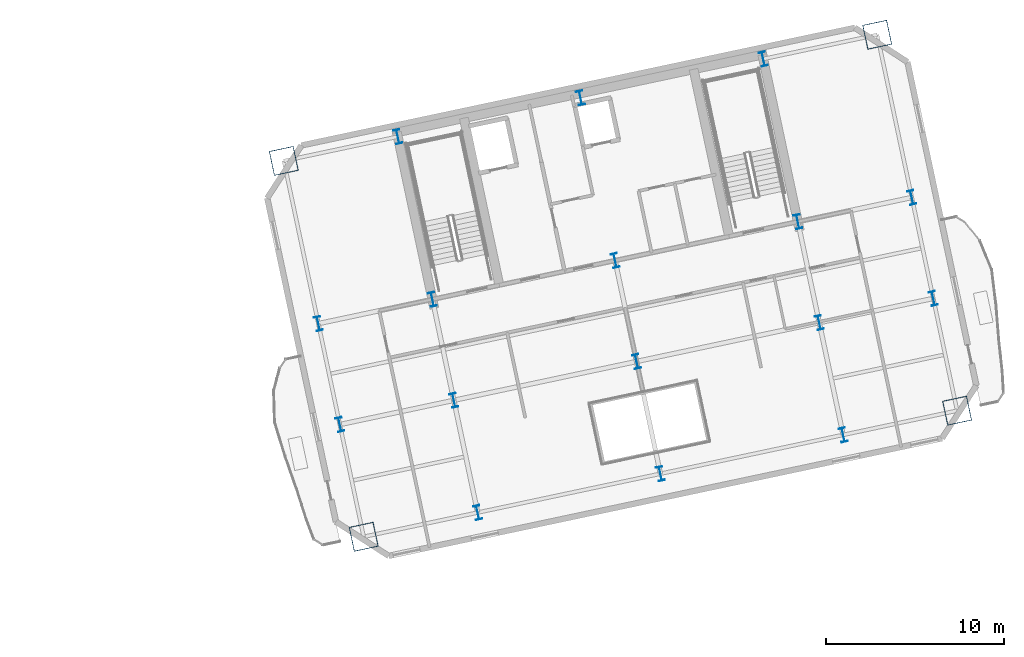
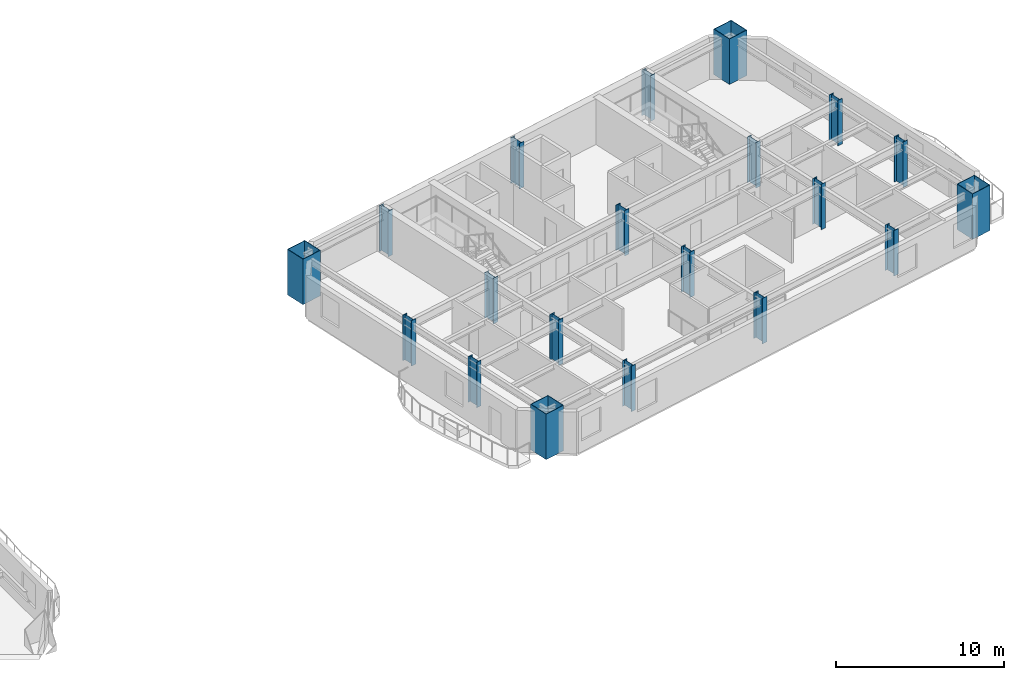
# One storey, part 2 of 13: 20 columns.
"""IFC4 building model written with IfcOpenShell, lengths in metres."""

import ifcopenshell
import ifcopenshell.guid

model = None  # the IFC model being written
_history = None  # IfcOwnerHistory: only IFC2X3 demands one
_inside = {}  # id of a spatial element -> (the spatial element, [elements in it])
_under = {}  # id of a project, library or spatial element -> (it, [spatial elements below it])
_declared = {}  # id of a project -> (the project, [libraries it declares])
_typed = {}  # id of a type object -> (the type object, [elements of that type])
_made_of = {}  # id of a material, layer set ... -> (it, [elements and type objects made of it])


def new_model(schema):
    """Start an empty IFC model of exactly this schema.

    Asked for "IFC4X3", IfcOpenShell would pick the latest addendum, in which some entities
    have other attributes; the version numbers below select the first issue.
    IFC2X3 requires an IfcOwnerHistory on every rooted entity: one is made here for all.
    """
    global model, _history
    if schema == "IFC4X3":
        model = ifcopenshell.file(schema_version=(4, 3, 0, 0))
    else:
        model = ifcopenshell.file(schema=schema)
    _inside.clear()
    _under.clear()
    _declared.clear()
    _typed.clear()
    _made_of.clear()
    _history = None
    if model.schema == "IFC2X3":
        org = make("IfcOrganization", Name="unknown")
        user = make(
            "IfcPersonAndOrganization",
            ThePerson=make("IfcPerson", FamilyName="unknown"),
            TheOrganization=org,
        )
        app = make(
            "IfcApplication",
            ApplicationDeveloper=org,
            Version="unknown",
            ApplicationFullName="unknown",
            ApplicationIdentifier="unknown",
        )
        _history = make(
            "IfcOwnerHistory",
            OwningUser=user,
            OwningApplication=app,
            ChangeAction="ADDED",
            CreationDate=0,
        )
    return model


def make(cls, **values):
    """One entity of the class cls with the attributes given. An attribute that is None is left unset."""
    return model.create_entity(
        cls, **{name: value for name, value in values.items() if value is not None}
    )


def rooted(cls, **values):
    """An entity with a GlobalId (a new one), such as an element, a storey or a relation."""
    return make(cls, GlobalId=ifcopenshell.guid.new(), OwnerHistory=_history, **values)


def si_unit(unit_type, name, prefix=None):
    """IfcSIUnit, for example si_unit("LENGTHUNIT", "METRE", prefix="MILLI")."""
    return make("IfcSIUnit", UnitType=unit_type, Prefix=prefix, Name=name)


def assignment(units):
    """IfcUnitAssignment: the units of a project."""
    return None if units is None else make("IfcUnitAssignment", Units=units)


def point(xyz):
    """IfcCartesianPoint."""
    return None if xyz is None else make("IfcCartesianPoint", Coordinates=xyz)


def direction(xyz):
    """IfcDirection."""
    return None if xyz is None else make("IfcDirection", DirectionRatios=xyz)


def frame(location, z_axis=None, x_axis=None):
    """IfcAxis2Placement3D, a coordinate frame: its origin and axes. An axis left out is left unset."""
    return make(
        "IfcAxis2Placement3D",
        Location=point(location),
        Axis=direction(z_axis),
        RefDirection=direction(x_axis),
    )


def frame_2d(location, x_axis=None):
    """IfcAxis2Placement2D, a coordinate frame in the plane: its origin and x axis."""
    return make(
        "IfcAxis2Placement2D", Location=point(location), RefDirection=direction(x_axis)
    )


def origin():
    """The frame at (0, 0, 0) with its axes left unset."""
    return frame((0.0, 0.0, 0.0))


def origin_2d():
    """The frame at (0, 0) in the plane with its x axis left unset."""
    return frame_2d((0.0, 0.0))


def place(relative_to, where):
    """IfcLocalPlacement: puts the frame where relative to a parent placement (None: the world)."""
    return make(
        "IfcLocalPlacement", PlacementRelTo=relative_to, RelativePlacement=where
    )


def context(
    kind, dimensions, precision=None, world=None, true_north=None, identifier=None
):
    """IfcGeometricRepresentationContext, for example the 3D "Model" context."""
    return make(
        "IfcGeometricRepresentationContext",
        ContextIdentifier=identifier,
        ContextType=kind,
        CoordinateSpaceDimension=dimensions,
        Precision=precision,
        WorldCoordinateSystem=world,
        TrueNorth=true_north,
    )


def subcontext(parent, identifier, kind, view, scale=None):
    """IfcGeometricRepresentationSubContext, for example "Body" below "Model"."""
    return make(
        "IfcGeometricRepresentationSubContext",
        ContextIdentifier=identifier,
        ContextType=kind,
        ParentContext=parent,
        TargetScale=scale,
        TargetView=view,
    )


def project(units=None, contexts=None):
    """IfcProject with its units and contexts."""
    return rooted(
        "IfcProject",
        Name="project",
        RepresentationContexts=contexts,
        UnitsInContext=assignment(units),
    )


def spatial(cls, under=None, at=None, **own):
    """A site, building, storey or space (cls), placed at a placement, below another one or the project."""
    s = rooted(cls, ObjectPlacement=at, **own)
    if under is not None:
        _under.setdefault(under.id(), (under, []))[1].append(s)
    return s


def profile(cls, at=None, kind="AREA", **sizes):
    """A parametric profile (cls). Its sizes go by their IFC names, for example OverallWidth=200.0."""
    return make(cls, ProfileType=kind, Position=at, **sizes)


def hollow_rectangle(**sizes):
    """IfcRectangleHollowProfileDef."""
    return profile("IfcRectangleHollowProfileDef", **sizes)


def i_section(**sizes):
    """IfcIShapeProfileDef."""
    return profile("IfcIShapeProfileDef", **sizes)


def extrude(swept, where, along, depth):
    """IfcExtrudedAreaSolid: the profile swept, set in the frame where, extruded along a direction by depth."""
    return make(
        "IfcExtrudedAreaSolid",
        SweptArea=swept,
        Position=where,
        ExtrudedDirection=direction(along),
        Depth=depth,
    )


def shape(context_of_items, identifier, shape_type, items):
    """IfcShapeRepresentation: the items that make up one representation, for example the "Body"."""
    return make(
        "IfcShapeRepresentation",
        ContextOfItems=context_of_items,
        RepresentationIdentifier=identifier,
        RepresentationType=shape_type,
        Items=items,
    )


def material(Name=None, Category=None):
    """IfcMaterial."""
    return make("IfcMaterial", Name=Name, Category=Category)


def material_profile(
    of_material, cross_section, Name=None, Category=None, Priority=None
):
    """IfcMaterialProfile: a cross section and its material."""
    return make(
        "IfcMaterialProfile",
        Name=Name,
        Material=of_material,
        Profile=cross_section,
        Priority=Priority,
        Category=Category,
    )


def profile_set(profiles, Name=None, composite=None):
    """IfcMaterialProfileSet."""
    return make(
        "IfcMaterialProfileSet",
        Name=Name,
        MaterialProfiles=profiles,
        CompositeProfile=composite,
    )


def made_of(thing, what):
    """Note that an element or type object is made of a material, layer set ...; save() writes the relation."""
    if what is not None:
        _made_of.setdefault(what.id(), (what, []))[1].append(thing)
    return thing


def type_object(cls, material=None, **own):
    """A type object (cls), such as IfcWallType, which elements share."""
    return made_of(rooted(cls, **own), material)


def element(
    cls,
    number,
    at=None,
    inside=None,
    cuts=None,
    type_object=None,
    material=None,
    context=None,
    identifier="Body",
    shape_type=None,
    held_by="IfcProductDefinitionShape",
    body=None,
    shapes=None,
    **own,
):
    """One element of the class cls, such as IfcWall. Its Tag is "e" and its number.

    at: its placement. inside: the storey or other place that contains it. cuts: it is an
    opening in that element (IfcRelVoidsElement). A single representation is given by context,
    identifier, shape_type and body (its items); several are given by shapes. held_by: the class
    of the entity that holds the representations. save() writes the other relations.
    """
    e = rooted(cls, Tag="e%d" % number, ObjectPlacement=at, **own)
    if body is not None:
        shapes = [shape(context, identifier, shape_type, body)]
    if shapes is not None:
        e.Representation = make(held_by, Representations=shapes)
    if inside is not None:
        _inside.setdefault(inside.id(), (inside, []))[1].append(e)
    if cuts is not None:
        rooted(
            "IfcRelVoidsElement", RelatingBuildingElement=cuts, RelatedOpeningElement=e
        )
    if type_object is not None:
        _typed.setdefault(type_object.id(), (type_object, []))[1].append(e)
    return made_of(e, material)


def aggregate(whole, parts):
    """IfcRelAggregates: a whole, such as a stair, and the parts it consists of."""
    return rooted("IfcRelAggregates", RelatingObject=whole, RelatedObjects=parts)


def save(model, path):
    """Write the relations noted so far, then the file.

    IfcRelAggregates (storeys below a building ...), IfcRelContainedInSpatialStructure (elements
    in a storey), IfcRelDefinesByType, IfcRelAssociatesMaterial and IfcRelDeclares: one each for
    every whole, place, type object, material and project.
    """
    for whole, parts in _under.values():
        aggregate(whole, parts)
    for where, things in _inside.values():
        rooted(
            "IfcRelContainedInSpatialStructure",
            RelatedElements=things,
            RelatingStructure=where,
        )
    for kind, things in _typed.values():
        rooted("IfcRelDefinesByType", RelatedObjects=things, RelatingType=kind)
    for what, things in _made_of.values():
        rooted("IfcRelAssociatesMaterial", RelatedObjects=things, RelatingMaterial=what)
    for by, libraries in _declared.values():
        rooted("IfcRelDeclares", RelatingContext=by, RelatedDefinitions=libraries)
    model.write(path)


model = new_model("IFC4")

# Units and contexts
model_context = context("Model", 3, precision=1e-05, world=origin(), true_north=direction((0.0, 1.0)))
body_context = subcontext(model_context, "Body", "Model", "MODEL_VIEW")
ifc_project = project(units=[si_unit("LENGTHUNIT", "METRE"), si_unit("AREAUNIT", "SQUARE_METRE"), si_unit("VOLUMEUNIT", "CUBIC_METRE"), si_unit("PLANEANGLEUNIT", "RADIAN"), si_unit("MASSUNIT", "GRAM", prefix="KILO")], contexts=[model_context])

# Site, building, storey
site_placement = place(None, origin())
site = spatial("IfcSite", under=ifc_project, at=site_placement, CompositionType="ELEMENT")
building_placement = place(site_placement, origin())
building = spatial("IfcBuilding", under=site, at=building_placement, Name="Haevon Station Towers", CompositionType="ELEMENT")
storey_placement = place(building_placement, frame((0.0, 0.0, 126.300048828125)))
storey = spatial("IfcBuildingStorey", under=building, at=storey_placement, Name="L34", CompositionType="ELEMENT", Elevation=126.300048828125)

# Columns
ifc_material = material(Name="Steel S460", Category="steel")
ifc_material_profile_1 = material_profile(ifc_material, hollow_rectangle(XDim=1.39990234375, YDim=1.39990234375, WallThickness=0.035888671875, at=origin_2d()), Name="BOX-1400x1400x36")
ifc_profile_set_1 = profile_set([ifc_material_profile_1], Name="Steel S460")
column_type_1 = type_object("IfcColumnType", Name="COL-MC3", PredefinedType="COLUMN", material=ifc_profile_set_1)
for number, where, z_axis, x_axis, name in (
    (1, (94.892333984375, 24.098388671875, 0.0), (0.0, 0.0, 1.0), (0.978147600734, 0.207911690818, 0.0), "COL-T2-L34-01-01"),
    (2, (90.401611328125, 45.226318359375, 0.0), (0.0, 0.0, 1.0), (0.978147600734, 0.207911690818, 0.0), "COL-T2-L34-01-04"),
    (3, (128.247314453125, 31.18798828125, 0.0), (0.0, 0.0, 1.0), (0.978147600734, 0.207911690818, 0.0), "COL-T2-L34-05-01"),
    (4, (123.75634765625, 52.316162109375, 0.0), (0.0, 0.0, 1.0), (0.978147600734, 0.207911690818, 0.0), "COL-T2-L34-05-04"),
):
    element("IfcColumn", number, at=place(storey_placement, frame(where, z_axis=z_axis, x_axis=x_axis)), inside=storey, type_object=column_type_1, Name=name, PredefinedType="COLUMN", context=body_context, shape_type="SweptSolid", body=[
        extrude(hollow_rectangle(XDim=1.39990234375, YDim=1.39990234375, WallThickness=0.035888671875, at=origin_2d()), origin(), (0.0, 0.0, 1.0), 3.300048828125),
    ])
ifc_material_profile_2 = material_profile(ifc_material, i_section(OverallWidth=0.35009765625, OverallDepth=0.800048828125, WebThickness=0.01806640625, FlangeThickness=0.031982421875, at=origin_2d()), Name="H-800x350x18x32")
ifc_profile_set_2 = profile_set([ifc_material_profile_2], Name="Steel S460")
column_type_2 = type_object("IfcColumnType", Name="COL-TW2", PredefinedType="COLUMN", material=ifc_profile_set_2)
for number, where, z_axis, x_axis, name in (
    (5, (93.55126953125, 30.4072265625, 0.0), (0.0, 0.0, 1.0), (0.978147600734, 0.207911690818, 0.0), "COL-T2-L34-01-02"),
    (6, (92.345458984375, 36.08056640625, 0.0), (0.0, 0.0, 1.0), (0.978147600734, 0.207911690818, 0.0), "COL-T2-L34-01-03"),
    (7, (101.29931640625, 25.460205078125, 0.0), (0.0, 0.0, 1.0), (0.978147600734, 0.207911690818, 0.0), "COL-T2-L34-02-01"),
    (8, (99.958251953125, 31.76904296875, 0.0), (0.0, 0.0, 1.0), (0.978147600734, 0.207911690818, 0.0), "COL-T2-L34-02-02"),
    (9, (98.75244140625, 37.4423828125, 0.0), (0.0, 0.0, 1.0), (0.978147600734, 0.207911690818, 0.0), "COL-T2-L34-02-03"),
    (10, (96.808349609375, 46.588134765625, 0.0), (0.0, 0.0, 1.0), (0.978147600734, 0.207911690818, 0.0), "COL-T2-L34-02-04"),
    (11, (111.56982421875, 27.64306640625, 0.0), (0.0, 0.0, 1.0), (0.978147600734, 0.207911690818, 0.0), "COL-T2-L34-03-01"),
    (12, (110.228759765625, 33.9521484375, 0.0), (0.0, 0.0, 1.0), (0.978147600734, 0.207911690818, 0.0), "COL-T2-L34-03-02"),
    (13, (109.02294921875, 39.62548828125, 0.0), (0.0, 0.0, 1.0), (0.978147600734, 0.207911690818, 0.0), "COL-T2-L34-03-03"),
    (14, (107.078857421875, 48.771240234375, 0.0), (0.0, 0.0, 1.0), (0.978147600734, 0.207911690818, 0.0), "COL-T2-L34-03-04"),
    (15, (121.84033203125, 29.826171875, 0.0), (0.0, 0.0, 1.0), (0.978147600734, 0.207911690818, 0.0), "COL-T2-L34-04-01"),
    (16, (120.499267578125, 36.13525390625, 0.0), (0.0, 0.0, 1.0), (0.978147600734, 0.207911690818, 0.0), "COL-T2-L34-04-02"),
    (17, (119.29345703125, 41.80859375, 0.0), (0.0, 0.0, 1.0), (0.978147600734, 0.207911690818, 0.0), "COL-T2-L34-04-03"),
    (18, (117.349365234375, 50.954345703125, 0.0), (0.0, 0.0, 1.0), (0.978147600734, 0.207911690818, 0.0), "COL-T2-L34-04-04"),
    (19, (126.90625, 37.4970703125, 0.0), (0.0, 0.0, 1.0), (0.978147600734, 0.207911690818, 0.0), "COL-T2-L34-05-02"),
    (20, (125.7001953125, 43.17041015625, 0.0), (0.0, 0.0, 1.0), (0.978147600734, 0.207911690818, 0.0), "COL-T2-L34-05-03"),
):
    element("IfcColumn", number, at=place(storey_placement, frame(where, z_axis=z_axis, x_axis=x_axis)), inside=storey, type_object=column_type_2, Name=name, PredefinedType="COLUMN", context=body_context, shape_type="SweptSolid", body=[
        extrude(i_section(OverallWidth=0.35009765625, OverallDepth=0.800048828125, WebThickness=0.01806640625, FlangeThickness=0.031982421875, at=origin_2d()), origin(), (0.0, 0.0, 1.0), 3.300048828125),
    ])

save(model, "model.ifc")
